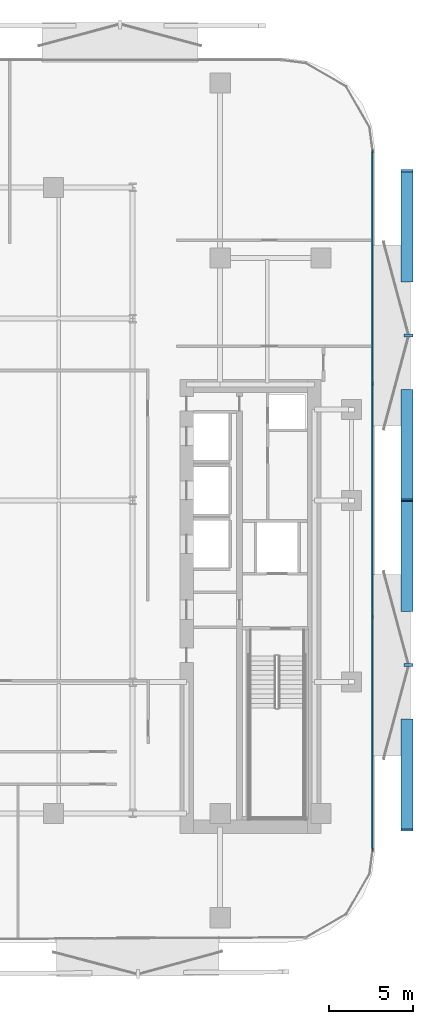
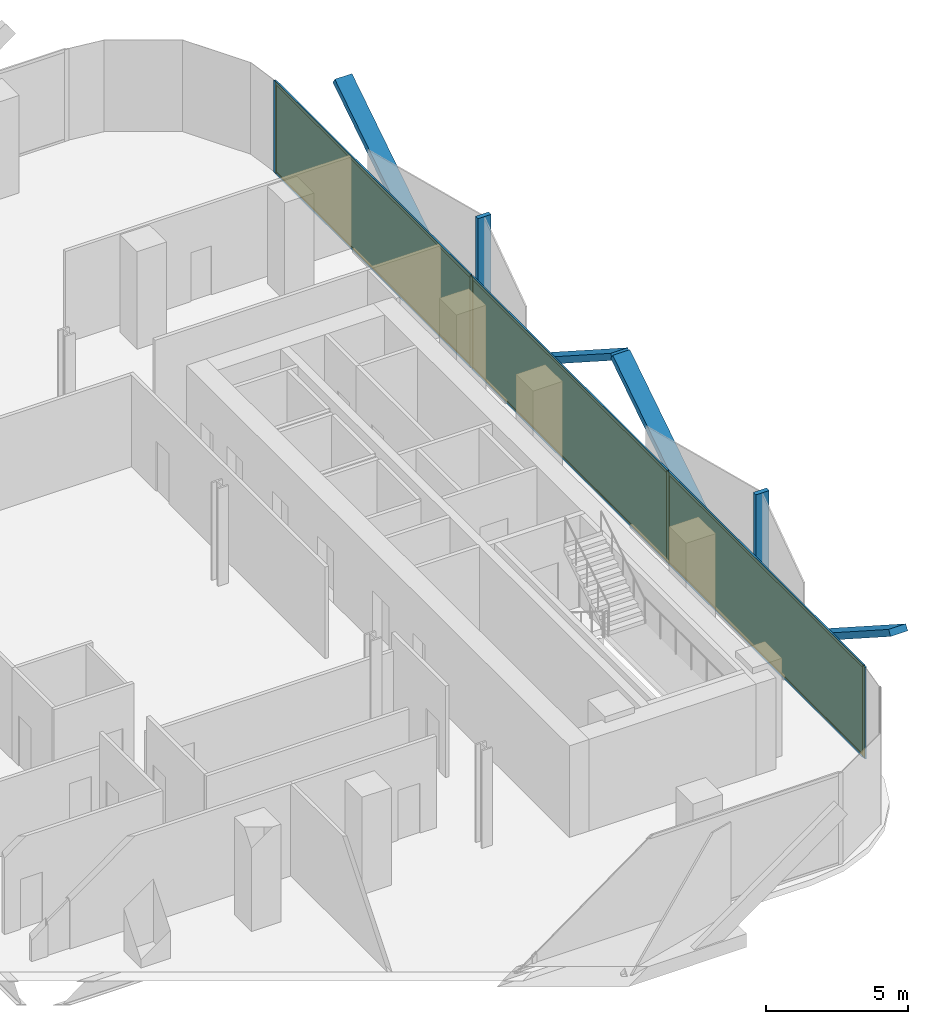
# One storey, part 9 of 15: 16 members, 3 plates, 1 curtain wall.
"""IFC4 building model written with IfcOpenShell, lengths in metres."""

from ifc_helpers import new_model, si_unit, direction, frame, frame_2d, origin, origin_2d, place, context, subcontext, project, spatial, rectangle, extrude, material, layer, layer_set, material_profile, profile_set, type_object, element, aggregate, save


model = new_model("IFC4")

# Units and contexts
model_context = context("Model", 3, precision=1e-05, world=origin(), true_north=direction((0.0, 1.0)))
body_context = subcontext(model_context, "Body", "Model", "MODEL_VIEW")
ifc_project = project(units=[si_unit("LENGTHUNIT", "METRE"), si_unit("AREAUNIT", "SQUARE_METRE"), si_unit("VOLUMEUNIT", "CUBIC_METRE"), si_unit("PLANEANGLEUNIT", "RADIAN"), si_unit("MASSUNIT", "GRAM", prefix="KILO")], contexts=[model_context])

# Member
ifc_material_1 = material(Name="Anodised Bronze Aluminium 6063-T6", Category="aluminium")
ifc_material_profile_1 = material_profile(ifc_material_1, rectangle(XDim=0.260009765625, YDim=0.699951171875, at=origin_2d()))
ifc_profile_set_1 = profile_set([ifc_material_profile_1], Name="Anodised Bronze Aluminium 6063-T6")
member_type_1 = type_object("IfcMemberType", Name="Bronze Diamond Solar-Screen Lattice Rib BDL-700", PredefinedType="MULLION", material=ifc_profile_set_1)
site_placement = place(None, origin())
building_placement = place(site_placement, origin())
storey_placement = place(building_placement, frame((0.0, 0.0, 101.60009765625)))
member_1_placement = place(storey_placement, frame((25.5, 6.5302734375, -0.130126953125), z_axis=(0.0, -0.841066075866, 0.540932395062), x_axis=(0.0, -0.540932395062, -0.841066075866)))
member_1 = element("IfcMember", 1, at=member_1_placement, type_object=member_type_1, Name="L23 Bronze Diamond Solar Screen Lattice Rib 135A", PredefinedType="MULLION", context=body_context, shape_type="SweptSolid", body=[
    extrude(rectangle(XDim=0.260009765625, YDim=0.699951171875, at=origin_2d()), origin(), (0.0, 0.0, 1.0), 7.76416015625),
])

member_2_placement = place(storey_placement, frame((25.5, 13.060546875, -0.130126953125), z_axis=(0.0, 0.841066075866, 0.540932395062), x_axis=(0.0, 0.540932395062, -0.841066075866)))
member_2 = element("IfcMember", 2, at=member_2_placement, type_object=member_type_1, Name="L23 Bronze Diamond Solar Screen Lattice Rib 135B", PredefinedType="MULLION", context=body_context, shape_type="SweptSolid", body=[
    extrude(rectangle(XDim=0.260009765625, YDim=0.699951171875, at=origin_2d()), origin(), (0.0, 0.0, 1.0), 7.76416015625),
])

member_3_placement = place(storey_placement, frame((25.5, -13.060546875, -0.130126953125), z_axis=(0.0, -0.841066075866, 0.540932395062), x_axis=(0.0, -0.540932395062, -0.841066075866)))
member_3 = element("IfcMember", 3, at=member_3_placement, type_object=member_type_1, Name="L23 Bronze Diamond Solar Screen Lattice Rib 136A", PredefinedType="MULLION", context=body_context, shape_type="SweptSolid", body=[
    extrude(rectangle(XDim=0.260009765625, YDim=0.699951171875, at=origin_2d()), origin(), (0.0, 0.0, 1.0), 7.76416015625),
])

member_4_placement = place(storey_placement, frame((25.5, -6.5302734375, -0.130126953125), z_axis=(0.0, 0.841066075866, 0.540932395062), x_axis=(0.0, 0.540932395062, -0.841066075866)))
member_4 = element("IfcMember", 4, at=member_4_placement, type_object=member_type_1, Name="L23 Bronze Diamond Solar Screen Lattice Rib 136B", PredefinedType="MULLION", context=body_context, shape_type="SweptSolid", body=[
    extrude(rectangle(XDim=0.260009765625, YDim=0.699951171875, at=origin_2d()), origin(), (0.0, 0.0, 1.0), 7.76416015625),
])

ifc_material_2 = material(Name="Anodised Bronze Aluminium 6063-T6", Category="aluminium")
ifc_material_profile_2 = material_profile(ifc_material_2, rectangle(XDim=0.179931640625, YDim=0.5400390625, at=origin_2d()))
ifc_profile_set_2 = profile_set([ifc_material_profile_2], Name="Anodised Bronze Aluminium 6063-T6")
member_type_2 = type_object("IfcMemberType", Name="Bronze Solar-Screen Vertical Fold Fin BSF-540", PredefinedType="MULLION", material=ifc_profile_set_2)
member_5_placement = place(storey_placement, frame((25.580078125, 9.79541015625, -0.130126953125), z_axis=(0.0, 0.0, 1.0), x_axis=(0.0, -1.0, 0.0)))
member_5 = element("IfcMember", 5, at=member_5_placement, type_object=member_type_2, Name="L23 Bronze Solar Screen Vertical Fin 135", PredefinedType="MULLION", context=body_context, shape_type="SweptSolid", body=[
    extrude(rectangle(XDim=0.179931640625, YDim=0.5400390625, at=origin_2d()), origin(), (0.0, 0.0, 1.0), 4.199951171875),
])

member_6_placement = place(storey_placement, frame((25.580078125, -9.79541015625, -0.130126953125), z_axis=(0.0, 0.0, 1.0), x_axis=(0.0, -1.0, 0.0)))
member_6 = element("IfcMember", 6, at=member_6_placement, type_object=member_type_2, Name="L23 Bronze Solar Screen Vertical Fin 136", PredefinedType="MULLION", context=body_context, shape_type="SweptSolid", body=[
    extrude(rectangle(XDim=0.179931640625, YDim=0.5400390625, at=origin_2d()), origin(), (0.0, 0.0, 1.0), 4.199951171875),
])

ifc_material_3 = material(Name="Anodised Bronze Aluminium 6063-T6", Category="aluminium")
ifc_material_profile_3 = material_profile(ifc_material_3, rectangle(XDim=0.06494140625, YDim=0.175048828125, at=origin_2d()))
ifc_profile_set_3 = profile_set([ifc_material_profile_3], Name="Anodised Bronze Aluminium 6063-T6")
member_type_3 = type_object("IfcMemberType", Name="CW-Z2 Mullion 65x175", PredefinedType="MULLION", material=ifc_profile_set_3)
member_7_placement = place(storey_placement, frame((23.4599609375, 20.75830078125, 0.0), z_axis=(0.0, 0.0, 1.0), x_axis=(1.0, 0.0, 0.0)))
member_7 = element("IfcMember", 7, at=member_7_placement, type_object=member_type_3, Name="CW-Z2 mullion 1", PredefinedType="MULLION", context=body_context, shape_type="SweptSolid", body=[
    extrude(rectangle(XDim=0.06494140625, YDim=0.175048828125, at=origin_2d()), origin(), (0.0, 0.0, 1.0), 3.93994140625),
])

member_8_placement = place(storey_placement, frame((23.4599609375, 6.93017578125, 0.0), z_axis=(0.0, 0.0, 1.0), x_axis=(1.0, 0.0, 0.0)))
member_8 = element("IfcMember", 8, at=member_8_placement, type_object=member_type_3, Name="CW-Z2 mullion 2", PredefinedType="MULLION", context=body_context, shape_type="SweptSolid", body=[
    extrude(rectangle(XDim=0.06494140625, YDim=0.175048828125, at=origin_2d()), origin(), (0.0, 0.0, 1.0), 3.93994140625),
])

member_9_placement = place(storey_placement, frame((23.4599609375, -6.93017578125, 0.0), z_axis=(0.0, 0.0, 1.0), x_axis=(1.0, 0.0, 0.0)))
member_9 = element("IfcMember", 9, at=member_9_placement, type_object=member_type_3, Name="CW-Z2 mullion 3", PredefinedType="MULLION", context=body_context, shape_type="SweptSolid", body=[
    extrude(rectangle(XDim=0.06494140625, YDim=0.175048828125, at=origin_2d()), origin(), (0.0, 0.0, 1.0), 3.93994140625),
])

member_10_placement = place(storey_placement, frame((23.4599609375, -20.75830078125, 0.0), z_axis=(0.0, 0.0, 1.0), x_axis=(1.0, 0.0, 0.0)))
member_10 = element("IfcMember", 10, at=member_10_placement, type_object=member_type_3, Name="CW-Z2 mullion 4", PredefinedType="MULLION", context=body_context, shape_type="SweptSolid", body=[
    extrude(rectangle(XDim=0.06494140625, YDim=0.175048828125, at=origin_2d()), origin(), (0.0, 0.0, 1.0), 3.93994140625),
])

ifc_material_4 = material(Name="Anodised Bronze Aluminium 6063-T6", Category="aluminium")
ifc_material_profile_4 = material_profile(ifc_material_4, rectangle(XDim=0.06494140625, YDim=0.135009765625, at=origin_2d()))
ifc_profile_set_4 = profile_set([ifc_material_profile_4], Name="Anodised Bronze Aluminium 6063-T6")
member_type_4 = type_object("IfcMemberType", Name="CW-Z2 Transom 65x135", PredefinedType="USERDEFINED", material=ifc_profile_set_4)
member_11_placement = place(storey_placement, frame((23.4599609375, 20.725830078125, 0.032470703125), z_axis=(0.0, -1.0, 0.0), x_axis=(1.0, 0.0, 0.0)))
member_11 = element("IfcMember", 11, at=member_11_placement, type_object=member_type_4, Name="CW-Z2 transom 1.1", ObjectType="TRANSOM", PredefinedType="USERDEFINED", context=body_context, shape_type="SweptSolid", body=[
    extrude(rectangle(XDim=0.06494140625, YDim=0.135009765625, at=origin_2d()), origin(), (0.0, 0.0, 1.0), 13.76318359375),
])

member_12_placement = place(storey_placement, frame((23.4599609375, 20.725830078125, 3.907470703125), z_axis=(0.0, -1.0, 0.0), x_axis=(1.0, 0.0, 0.0)))
member_12 = element("IfcMember", 12, at=member_12_placement, type_object=member_type_4, Name="CW-Z2 transom 1.2", ObjectType="TRANSOM", PredefinedType="USERDEFINED", context=body_context, shape_type="SweptSolid", body=[
    extrude(rectangle(XDim=0.06494140625, YDim=0.135009765625, at=origin_2d()), origin(), (0.0, 0.0, 1.0), 13.76318359375),
])

member_13_placement = place(storey_placement, frame((23.4599609375, 6.897705078125, 0.032470703125), z_axis=(0.0, -1.0, 0.0), x_axis=(1.0, 0.0, 0.0)))
member_13 = element("IfcMember", 13, at=member_13_placement, type_object=member_type_4, Name="CW-Z2 transom 2.1", ObjectType="TRANSOM", PredefinedType="USERDEFINED", context=body_context, shape_type="SweptSolid", body=[
    extrude(rectangle(XDim=0.06494140625, YDim=0.135009765625, at=origin_2d()), origin(), (0.0, 0.0, 1.0), 13.79541015625),
])

member_14_placement = place(storey_placement, frame((23.4599609375, 6.897705078125, 3.907470703125), z_axis=(0.0, -1.0, 0.0), x_axis=(1.0, 0.0, 0.0)))
member_14 = element("IfcMember", 14, at=member_14_placement, type_object=member_type_4, Name="CW-Z2 transom 2.2", ObjectType="TRANSOM", PredefinedType="USERDEFINED", context=body_context, shape_type="SweptSolid", body=[
    extrude(rectangle(XDim=0.06494140625, YDim=0.135009765625, at=origin_2d()), origin(), (0.0, 0.0, 1.0), 13.79541015625),
])

member_15_placement = place(storey_placement, frame((23.4599609375, -6.962646484375, 0.032470703125), z_axis=(0.0, -1.0, 0.0), x_axis=(1.0, 0.0, 0.0)))
member_15 = element("IfcMember", 15, at=member_15_placement, type_object=member_type_4, Name="CW-Z2 transom 3.1", ObjectType="TRANSOM", PredefinedType="USERDEFINED", context=body_context, shape_type="SweptSolid", body=[
    extrude(rectangle(XDim=0.06494140625, YDim=0.135009765625, at=origin_2d()), origin(), (0.0, 0.0, 1.0), 13.76318359375),
])

member_16_placement = place(storey_placement, frame((23.4599609375, -6.962646484375, 3.907470703125), z_axis=(0.0, -1.0, 0.0), x_axis=(1.0, 0.0, 0.0)))
member_16 = element("IfcMember", 16, at=member_16_placement, type_object=member_type_4, Name="CW-Z2 transom 3.2", ObjectType="TRANSOM", PredefinedType="USERDEFINED", context=body_context, shape_type="SweptSolid", body=[
    extrude(rectangle(XDim=0.06494140625, YDim=0.135009765625, at=origin_2d()), origin(), (0.0, 0.0, 1.0), 13.76318359375),
])

# Plate
ifc_material_5 = material(Name="Low-E Solar Control Laminated Glass", Category="glass")
ifc_layer_1 = layer(ifc_material_5, 0.028076171875, Name="Low-E Solar Control Laminated Glass")
ifc_layer_set_1 = layer_set([ifc_layer_1], Name="Low-E Solar Control Laminated Glass")
plate_type = type_object("IfcPlateType", Name="CW-Z2 Low-E Double Glazed Panel 28mm", PredefinedType="CURTAIN_PANEL", material=ifc_layer_set_1)
plate_1_placement = place(storey_placement, frame((23.4599609375, 13.84423828125, 0.06494140625), z_axis=(0.0, 0.0, 1.0), x_axis=(0.0, -1.0, 0.0)))
plate_1 = element("IfcPlate", 17, at=plate_1_placement, type_object=plate_type, Name="CW-Z2 panel 1.1", PredefinedType="CURTAIN_PANEL", context=body_context, shape_type="SweptSolid", body=[
    extrude(rectangle(XDim=13.762939453125, YDim=0.028076171875, at=origin_2d()), origin(), (0.0, 0.0, 1.0), 3.81005859375),
])

plate_2_placement = place(storey_placement, frame((23.4599609375, 0.0, 0.06494140625), z_axis=(0.0, 0.0, 1.0), x_axis=(0.0, -1.0, 0.0)))
plate_2 = element("IfcPlate", 18, at=plate_2_placement, type_object=plate_type, Name="CW-Z2 panel 2.1", PredefinedType="CURTAIN_PANEL", context=body_context, shape_type="SweptSolid", body=[
    extrude(rectangle(XDim=13.795654296875, YDim=0.028076171875, at=origin_2d()), origin(), (0.0, 0.0, 1.0), 3.81005859375),
])

plate_3_placement = place(storey_placement, frame((23.4599609375, -13.84423828125, 0.06494140625), z_axis=(0.0, 0.0, 1.0), x_axis=(0.0, -1.0, 0.0)))
plate_3 = element("IfcPlate", 19, at=plate_3_placement, type_object=plate_type, Name="CW-Z2 panel 3.1", PredefinedType="CURTAIN_PANEL", context=body_context, shape_type="SweptSolid", body=[
    extrude(rectangle(XDim=13.762939453125, YDim=0.028076171875, at=origin_2d()), origin(), (0.0, 0.0, 1.0), 3.81005859375),
])

# Site, building, storey
site = spatial("IfcSite", under=ifc_project, at=site_placement, CompositionType="ELEMENT")
building = spatial("IfcBuilding", under=site, at=building_placement, Name="Khairoan Windgate Tower", CompositionType="ELEMENT")
storey = spatial("IfcBuildingStorey", under=building, at=storey_placement, Name="L23", CompositionType="ELEMENT", Elevation=101.60009765625)

# Curtain wall
ifc_material_6 = material(Name="Anodised Bronze Aluminium 6063-T6", Category="aluminium")
ifc_layer_2 = layer(ifc_material_6, 0.175048828125, Name="Anodised Bronze Aluminium 6063-T6")
ifc_layer_set_2 = layer_set([ifc_layer_2], Name="Anodised Bronze Aluminium 6063-T6")
curtain_wall_type = type_object("IfcCurtainWallType", Name="Mid-Rise Office Unitised Curtain Wall CW-Z2", PredefinedType="NOTDEFINED", material=ifc_layer_set_2)
curtain_wall_placement = place(storey_placement, frame((23.4599609375, 20.790771484375, 0.0), z_axis=(0.0, 0.0, 1.0), x_axis=(0.0, -1.0, 0.0)))
curtain_wall = element("IfcCurtainWall", 20, at=curtain_wall_placement, inside=storey, type_object=curtain_wall_type, Name="L23 Unitised Curtain Wall 16", PredefinedType="NOTDEFINED", context=body_context, shape_type="SweptSolid", body=[
    extrude(rectangle(XDim=41.58154296875, YDim=0.010009765625, at=frame_2d((20.790771484375, 0.0))), origin(), (0.0, 0.0, 1.0), 3.93994140625),
])

aggregate(curtain_wall, [member_7, member_8, member_9, member_10, member_11, member_12, plate_1, member_13, member_14, plate_2, member_15, member_16, plate_3, member_1, member_2, member_5, member_3, member_4, member_6])

save(model, "model.ifc")
